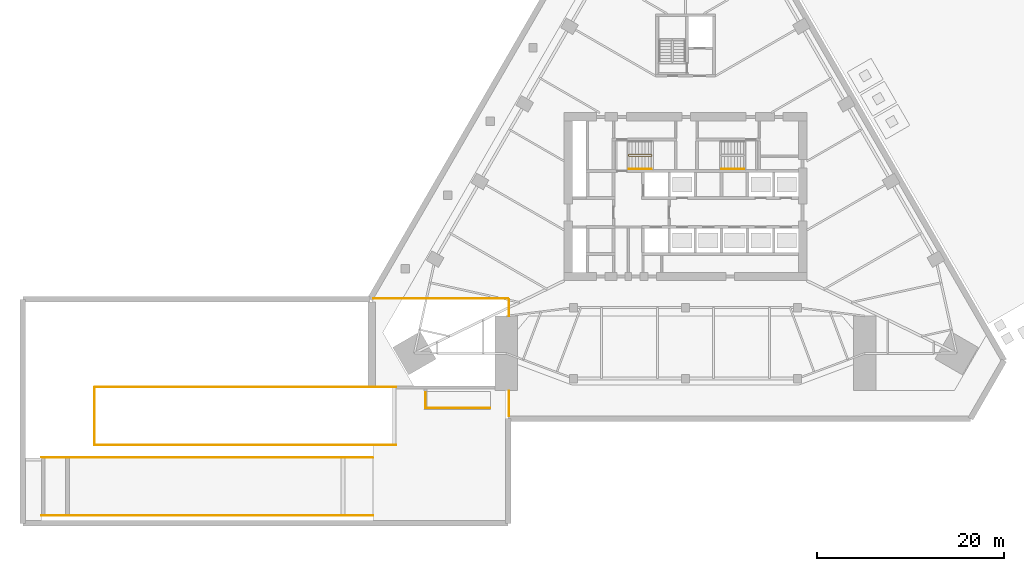
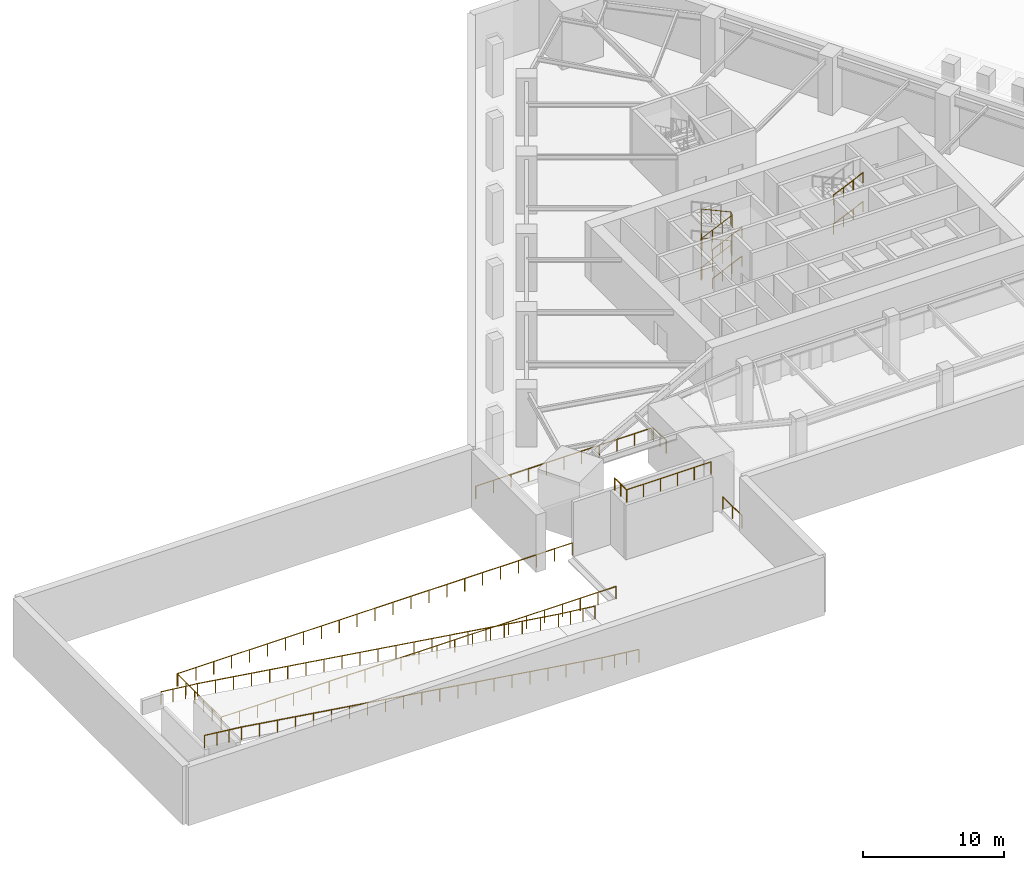
# One storey, part 7 of 9: 14 railings.
"""IFC4 building model written with IfcOpenShell, lengths in metres."""

from ifc_helpers import new_model, si_unit, direction, frame, origin, origin_2d, place, context, subcontext, project, spatial, circle, extrude, material, type_object, element, save


model = new_model("IFC4")

# Units and contexts
model_context = context("Model", 3, precision=1e-05, world=origin(), true_north=direction((0.0, 1.0)))
body_context = subcontext(model_context, "Body", "Model", "MODEL_VIEW")
ifc_project = project(units=[si_unit("LENGTHUNIT", "METRE"), si_unit("AREAUNIT", "SQUARE_METRE"), si_unit("VOLUMEUNIT", "CUBIC_METRE"), si_unit("PLANEANGLEUNIT", "RADIAN"), si_unit("MASSUNIT", "GRAM", prefix="KILO")], contexts=[model_context])

# Site, building, storey
site_placement = place(None, origin())
site = spatial("IfcSite", under=ifc_project, at=site_placement, CompositionType="ELEMENT")
building_placement = place(site_placement, origin())
building = spatial("IfcBuilding", under=site, at=building_placement, Name="Firuza Gate Tower and Library", CompositionType="ELEMENT")
storey_placement = place(building_placement, frame((0.0, 0.0, -5.0)))
storey = spatial("IfcBuildingStorey", under=building, at=storey_placement, Name="B1", CompositionType="ELEMENT", Elevation=-5.0)

# Railings
ifc_material_1 = material(Name="Steel S355", Category="steel")
railing_type_1 = type_object("IfcRailingType", Name="Ramp guard 1100", PredefinedType="GUARDRAIL", material=ifc_material_1)
railing_1_placement = place(storey_placement, frame((6.0, 40.85009765625, 5.0)))
element("IfcRailing", 1, at=railing_1_placement, inside=storey, type_object=railing_type_1, Name="Car ramp 1 guard 1", PredefinedType="GUARDRAIL", context=body_context, shape_type="SweptSolid", body=[
    extrude(circle(Radius=0.02392578125, at=origin_2d()), frame((0.0, 0.0, 1.076171875), z_axis=(0.99388669344, 0.0, -0.110404893925), x_axis=(0.0, 1.0, 0.0)), (0.0, 0.0, 1.0), 3.0185546875),
    extrude(circle(Radius=0.02392578125, at=origin_2d()), frame((3.0, 0.0, 0.74267578125), z_axis=(0.989382002609, 0.0, -0.145338408255), x_axis=(0.0, 1.0, 0.0)), (0.0, 0.0, 1.0), 29.816650390625),
    extrude(circle(Radius=0.02392578125, at=origin_2d()), frame((32.5, 0.0, -3.5908203125), z_axis=(0.99388669344, 0.0, -0.110404893925), x_axis=(0.0, 1.0, 0.0)), (0.0, 0.0, 1.0), 3.0185546875),
    extrude(circle(Radius=0.02099609375, at=origin_2d()), origin(), (0.0, 0.0, 1.0), 1.052001953125),
    extrude(circle(Radius=0.02099609375, at=origin_2d()), frame((1.0, 0.0, -0.111083984375)), (0.0, 0.0, 1.0), 1.052001953125),
    extrude(circle(Radius=0.02099609375, at=origin_2d()), frame((2.0, 0.0, -0.22216796875)), (0.0, 0.0, 1.0), 1.052001953125),
    extrude(circle(Radius=0.02099609375, at=origin_2d()), frame((3.0, 0.0, -0.333251953125)), (0.0, 0.0, 1.0), 1.052001953125),
    extrude(circle(Radius=0.02099609375, at=origin_2d()), frame((4.47509765625, 0.0, -0.5498046875)), (0.0, 0.0, 1.0), 1.052001953125),
    extrude(circle(Radius=0.02099609375, at=origin_2d()), frame((5.949951171875, 0.0, -0.7666015625)), (0.0, 0.0, 1.0), 1.052001953125),
    extrude(circle(Radius=0.02099609375, at=origin_2d()), frame((7.425048828125, 0.0, -0.9833984375)), (0.0, 0.0, 1.0), 1.052001953125),
    extrude(circle(Radius=0.02099609375, at=origin_2d()), frame((8.89990234375, 0.0, -1.199951171875)), (0.0, 0.0, 1.0), 1.052001953125),
    extrude(circle(Radius=0.02099609375, at=origin_2d()), frame((10.375, 0.0, -1.41650390625)), (0.0, 0.0, 1.0), 1.052001953125),
    extrude(circle(Radius=0.02099609375, at=origin_2d()), frame((11.85009765625, 0.0, -1.63330078125)), (0.0, 0.0, 1.0), 1.052001953125),
    extrude(circle(Radius=0.02099609375, at=origin_2d()), frame((13.324951171875, 0.0, -1.85009765625)), (0.0, 0.0, 1.0), 1.052001953125),
    extrude(circle(Radius=0.02099609375, at=origin_2d()), frame((14.800048828125, 0.0, -2.066650390625)), (0.0, 0.0, 1.0), 1.052001953125),
    extrude(circle(Radius=0.02099609375, at=origin_2d()), frame((16.27490234375, 0.0, -2.283203125)), (0.0, 0.0, 1.0), 1.052001953125),
    extrude(circle(Radius=0.02099609375, at=origin_2d()), frame((17.75, 0.0, -2.5)), (0.0, 0.0, 1.0), 1.052001953125),
    extrude(circle(Radius=0.02099609375, at=origin_2d()), frame((19.22509765625, 0.0, -2.716796875)), (0.0, 0.0, 1.0), 1.052001953125),
    extrude(circle(Radius=0.02099609375, at=origin_2d()), frame((20.699951171875, 0.0, -2.933349609375)), (0.0, 0.0, 1.0), 1.052001953125),
    extrude(circle(Radius=0.02099609375, at=origin_2d()), frame((22.175048828125, 0.0, -3.14990234375)), (0.0, 0.0, 1.0), 1.052001953125),
    extrude(circle(Radius=0.02099609375, at=origin_2d()), frame((23.64990234375, 0.0, -3.36669921875)), (0.0, 0.0, 1.0), 1.052001953125),
    extrude(circle(Radius=0.02099609375, at=origin_2d()), frame((25.125, 0.0, -3.58349609375)), (0.0, 0.0, 1.0), 1.052001953125),
    extrude(circle(Radius=0.02099609375, at=origin_2d()), frame((26.60009765625, 0.0, -3.800048828125)), (0.0, 0.0, 1.0), 1.052001953125),
    extrude(circle(Radius=0.02099609375, at=origin_2d()), frame((28.074951171875, 0.0, -4.0166015625)), (0.0, 0.0, 1.0), 1.052001953125),
    extrude(circle(Radius=0.02099609375, at=origin_2d()), frame((29.550048828125, 0.0, -4.2333984375)), (0.0, 0.0, 1.0), 1.052001953125),
    extrude(circle(Radius=0.02099609375, at=origin_2d()), frame((31.02490234375, 0.0, -4.4501953125)), (0.0, 0.0, 1.0), 1.052001953125),
    extrude(circle(Radius=0.02099609375, at=origin_2d()), frame((32.5, 0.0, -4.666748046875)), (0.0, 0.0, 1.0), 1.052001953125),
    extrude(circle(Radius=0.02099609375, at=origin_2d()), frame((33.5, 0.0, -4.77783203125)), (0.0, 0.0, 1.0), 1.052001953125),
    extrude(circle(Radius=0.02099609375, at=origin_2d()), frame((34.5, 0.0, -4.888916015625)), (0.0, 0.0, 1.0), 1.052001953125),
    extrude(circle(Radius=0.02099609375, at=origin_2d()), frame((35.5, 0.0, -5.0)), (0.0, 0.0, 1.0), 1.052001953125),
])
railing_2_placement = place(storey_placement, frame((6.0, 47.050048828125, 5.0)))
element("IfcRailing", 2, at=railing_2_placement, inside=storey, type_object=railing_type_1, Name="Car ramp 1 guard 2", PredefinedType="GUARDRAIL", context=body_context, shape_type="SweptSolid", body=[
    extrude(circle(Radius=0.02392578125, at=origin_2d()), frame((0.0, 0.0, 1.076171875), z_axis=(0.99388669344, 0.0, -0.110404893925), x_axis=(0.0, 1.0, 0.0)), (0.0, 0.0, 1.0), 3.0185546875),
    extrude(circle(Radius=0.02392578125, at=origin_2d()), frame((3.0, 0.0, 0.74267578125), z_axis=(0.989382002609, 0.0, -0.145338408255), x_axis=(0.0, 1.0, 0.0)), (0.0, 0.0, 1.0), 29.816650390625),
    extrude(circle(Radius=0.02392578125, at=origin_2d()), frame((32.5, 0.0, -3.5908203125), z_axis=(0.99388669344, 0.0, -0.110404893925), x_axis=(0.0, 1.0, 0.0)), (0.0, 0.0, 1.0), 3.0185546875),
    extrude(circle(Radius=0.02099609375, at=origin_2d()), origin(), (0.0, 0.0, 1.0), 1.052001953125),
    extrude(circle(Radius=0.02099609375, at=origin_2d()), frame((1.0, 0.0, -0.111083984375)), (0.0, 0.0, 1.0), 1.052001953125),
    extrude(circle(Radius=0.02099609375, at=origin_2d()), frame((2.0, 0.0, -0.22216796875)), (0.0, 0.0, 1.0), 1.052001953125),
    extrude(circle(Radius=0.02099609375, at=origin_2d()), frame((3.0, 0.0, -0.333251953125)), (0.0, 0.0, 1.0), 1.052001953125),
    extrude(circle(Radius=0.02099609375, at=origin_2d()), frame((4.47509765625, 0.0, -0.5498046875)), (0.0, 0.0, 1.0), 1.052001953125),
    extrude(circle(Radius=0.02099609375, at=origin_2d()), frame((5.949951171875, 0.0, -0.7666015625)), (0.0, 0.0, 1.0), 1.052001953125),
    extrude(circle(Radius=0.02099609375, at=origin_2d()), frame((7.425048828125, 0.0, -0.9833984375)), (0.0, 0.0, 1.0), 1.052001953125),
    extrude(circle(Radius=0.02099609375, at=origin_2d()), frame((8.89990234375, 0.0, -1.199951171875)), (0.0, 0.0, 1.0), 1.052001953125),
    extrude(circle(Radius=0.02099609375, at=origin_2d()), frame((10.375, 0.0, -1.41650390625)), (0.0, 0.0, 1.0), 1.052001953125),
    extrude(circle(Radius=0.02099609375, at=origin_2d()), frame((11.85009765625, 0.0, -1.63330078125)), (0.0, 0.0, 1.0), 1.052001953125),
    extrude(circle(Radius=0.02099609375, at=origin_2d()), frame((13.324951171875, 0.0, -1.85009765625)), (0.0, 0.0, 1.0), 1.052001953125),
    extrude(circle(Radius=0.02099609375, at=origin_2d()), frame((14.800048828125, 0.0, -2.066650390625)), (0.0, 0.0, 1.0), 1.052001953125),
    extrude(circle(Radius=0.02099609375, at=origin_2d()), frame((16.27490234375, 0.0, -2.283203125)), (0.0, 0.0, 1.0), 1.052001953125),
    extrude(circle(Radius=0.02099609375, at=origin_2d()), frame((17.75, 0.0, -2.5)), (0.0, 0.0, 1.0), 1.052001953125),
    extrude(circle(Radius=0.02099609375, at=origin_2d()), frame((19.22509765625, 0.0, -2.716796875)), (0.0, 0.0, 1.0), 1.052001953125),
    extrude(circle(Radius=0.02099609375, at=origin_2d()), frame((20.699951171875, 0.0, -2.933349609375)), (0.0, 0.0, 1.0), 1.052001953125),
    extrude(circle(Radius=0.02099609375, at=origin_2d()), frame((22.175048828125, 0.0, -3.14990234375)), (0.0, 0.0, 1.0), 1.052001953125),
    extrude(circle(Radius=0.02099609375, at=origin_2d()), frame((23.64990234375, 0.0, -3.36669921875)), (0.0, 0.0, 1.0), 1.052001953125),
    extrude(circle(Radius=0.02099609375, at=origin_2d()), frame((25.125, 0.0, -3.58349609375)), (0.0, 0.0, 1.0), 1.052001953125),
    extrude(circle(Radius=0.02099609375, at=origin_2d()), frame((26.60009765625, 0.0, -3.800048828125)), (0.0, 0.0, 1.0), 1.052001953125),
    extrude(circle(Radius=0.02099609375, at=origin_2d()), frame((28.074951171875, 0.0, -4.0166015625)), (0.0, 0.0, 1.0), 1.052001953125),
    extrude(circle(Radius=0.02099609375, at=origin_2d()), frame((29.550048828125, 0.0, -4.2333984375)), (0.0, 0.0, 1.0), 1.052001953125),
    extrude(circle(Radius=0.02099609375, at=origin_2d()), frame((31.02490234375, 0.0, -4.4501953125)), (0.0, 0.0, 1.0), 1.052001953125),
    extrude(circle(Radius=0.02099609375, at=origin_2d()), frame((32.5, 0.0, -4.666748046875)), (0.0, 0.0, 1.0), 1.052001953125),
    extrude(circle(Radius=0.02099609375, at=origin_2d()), frame((33.5, 0.0, -4.77783203125)), (0.0, 0.0, 1.0), 1.052001953125),
    extrude(circle(Radius=0.02099609375, at=origin_2d()), frame((34.5, 0.0, -4.888916015625)), (0.0, 0.0, 1.0), 1.052001953125),
    extrude(circle(Radius=0.02099609375, at=origin_2d()), frame((35.5, 0.0, -5.0)), (0.0, 0.0, 1.0), 1.052001953125),
])
railing_3_placement = place(storey_placement, frame((11.75, 48.39990234375, 0.0)))
element("IfcRailing", 3, at=railing_3_placement, inside=storey, type_object=railing_type_1, Name="Ramp R2 opening guard S", PredefinedType="GUARDRAIL", context=body_context, shape_type="SweptSolid", body=[
    extrude(circle(Radius=0.02392578125, at=origin_2d()), frame((0.0, 0.0, 1.076171875), z_axis=(1.0, 0.0, 0.0), x_axis=(0.0, 1.0, 0.0)), (0.0, 0.0, 1.0), 32.25),
    extrude(circle(Radius=0.02099609375, at=origin_2d()), origin(), (0.0, 0.0, 1.0), 1.052001953125),
    extrude(circle(Radius=0.02099609375, at=origin_2d()), frame((1.4658203125, 0.0, 0.0)), (0.0, 0.0, 1.0), 1.052001953125),
    extrude(circle(Radius=0.02099609375, at=origin_2d()), frame((2.931884765625, 0.0, 0.0)), (0.0, 0.0, 1.0), 1.052001953125),
    extrude(circle(Radius=0.02099609375, at=origin_2d()), frame((4.397705078125, 0.0, 0.0)), (0.0, 0.0, 1.0), 1.052001953125),
    extrude(circle(Radius=0.02099609375, at=origin_2d()), frame((5.863525390625, 0.0, 0.0)), (0.0, 0.0, 1.0), 1.052001953125),
    extrude(circle(Radius=0.02099609375, at=origin_2d()), frame((7.32958984375, 0.0, 0.0)), (0.0, 0.0, 1.0), 1.052001953125),
    extrude(circle(Radius=0.02099609375, at=origin_2d()), frame((8.79541015625, 0.0, 0.0)), (0.0, 0.0, 1.0), 1.052001953125),
    extrude(circle(Radius=0.02099609375, at=origin_2d()), frame((10.261474609375, 0.0, 0.0)), (0.0, 0.0, 1.0), 1.052001953125),
    extrude(circle(Radius=0.02099609375, at=origin_2d()), frame((11.727294921875, 0.0, 0.0)), (0.0, 0.0, 1.0), 1.052001953125),
    extrude(circle(Radius=0.02099609375, at=origin_2d()), frame((13.193115234375, 0.0, 0.0)), (0.0, 0.0, 1.0), 1.052001953125),
    extrude(circle(Radius=0.02099609375, at=origin_2d()), frame((14.6591796875, 0.0, 0.0)), (0.0, 0.0, 1.0), 1.052001953125),
    extrude(circle(Radius=0.02099609375, at=origin_2d()), frame((16.125, 0.0, 0.0)), (0.0, 0.0, 1.0), 1.052001953125),
    extrude(circle(Radius=0.02099609375, at=origin_2d()), frame((17.5908203125, 0.0, 0.0)), (0.0, 0.0, 1.0), 1.052001953125),
    extrude(circle(Radius=0.02099609375, at=origin_2d()), frame((19.056884765625, 0.0, 0.0)), (0.0, 0.0, 1.0), 1.052001953125),
    extrude(circle(Radius=0.02099609375, at=origin_2d()), frame((20.522705078125, 0.0, 0.0)), (0.0, 0.0, 1.0), 1.052001953125),
    extrude(circle(Radius=0.02099609375, at=origin_2d()), frame((21.988525390625, 0.0, 0.0)), (0.0, 0.0, 1.0), 1.052001953125),
    extrude(circle(Radius=0.02099609375, at=origin_2d()), frame((23.45458984375, 0.0, 0.0)), (0.0, 0.0, 1.0), 1.052001953125),
    extrude(circle(Radius=0.02099609375, at=origin_2d()), frame((24.92041015625, 0.0, 0.0)), (0.0, 0.0, 1.0), 1.052001953125),
    extrude(circle(Radius=0.02099609375, at=origin_2d()), frame((26.386474609375, 0.0, 0.0)), (0.0, 0.0, 1.0), 1.052001953125),
    extrude(circle(Radius=0.02099609375, at=origin_2d()), frame((27.852294921875, 0.0, 0.0)), (0.0, 0.0, 1.0), 1.052001953125),
    extrude(circle(Radius=0.02099609375, at=origin_2d()), frame((29.318115234375, 0.0, 0.0)), (0.0, 0.0, 1.0), 1.052001953125),
    extrude(circle(Radius=0.02099609375, at=origin_2d()), frame((30.7841796875, 0.0, 0.0)), (0.0, 0.0, 1.0), 1.052001953125),
    extrude(circle(Radius=0.02099609375, at=origin_2d()), frame((32.25, 0.0, 0.0)), (0.0, 0.0, 1.0), 1.052001953125),
])
railing_4_placement = place(storey_placement, frame((11.75, 54.60009765625, 0.0)))
element("IfcRailing", 4, at=railing_4_placement, inside=storey, type_object=railing_type_1, Name="Ramp R2 opening guard N", PredefinedType="GUARDRAIL", context=body_context, shape_type="SweptSolid", body=[
    extrude(circle(Radius=0.02392578125, at=origin_2d()), frame((0.0, 0.0, 1.076171875), z_axis=(1.0, 0.0, 0.0), x_axis=(0.0, 1.0, 0.0)), (0.0, 0.0, 1.0), 32.25),
    extrude(circle(Radius=0.02099609375, at=origin_2d()), origin(), (0.0, 0.0, 1.0), 1.052001953125),
    extrude(circle(Radius=0.02099609375, at=origin_2d()), frame((1.4658203125, 0.0, 0.0)), (0.0, 0.0, 1.0), 1.052001953125),
    extrude(circle(Radius=0.02099609375, at=origin_2d()), frame((2.931884765625, 0.0, 0.0)), (0.0, 0.0, 1.0), 1.052001953125),
    extrude(circle(Radius=0.02099609375, at=origin_2d()), frame((4.397705078125, 0.0, 0.0)), (0.0, 0.0, 1.0), 1.052001953125),
    extrude(circle(Radius=0.02099609375, at=origin_2d()), frame((5.863525390625, 0.0, 0.0)), (0.0, 0.0, 1.0), 1.052001953125),
    extrude(circle(Radius=0.02099609375, at=origin_2d()), frame((7.32958984375, 0.0, 0.0)), (0.0, 0.0, 1.0), 1.052001953125),
    extrude(circle(Radius=0.02099609375, at=origin_2d()), frame((8.79541015625, 0.0, 0.0)), (0.0, 0.0, 1.0), 1.052001953125),
    extrude(circle(Radius=0.02099609375, at=origin_2d()), frame((10.261474609375, 0.0, 0.0)), (0.0, 0.0, 1.0), 1.052001953125),
    extrude(circle(Radius=0.02099609375, at=origin_2d()), frame((11.727294921875, 0.0, 0.0)), (0.0, 0.0, 1.0), 1.052001953125),
    extrude(circle(Radius=0.02099609375, at=origin_2d()), frame((13.193115234375, 0.0, 0.0)), (0.0, 0.0, 1.0), 1.052001953125),
    extrude(circle(Radius=0.02099609375, at=origin_2d()), frame((14.6591796875, 0.0, 0.0)), (0.0, 0.0, 1.0), 1.052001953125),
    extrude(circle(Radius=0.02099609375, at=origin_2d()), frame((16.125, 0.0, 0.0)), (0.0, 0.0, 1.0), 1.052001953125),
    extrude(circle(Radius=0.02099609375, at=origin_2d()), frame((17.5908203125, 0.0, 0.0)), (0.0, 0.0, 1.0), 1.052001953125),
    extrude(circle(Radius=0.02099609375, at=origin_2d()), frame((19.056884765625, 0.0, 0.0)), (0.0, 0.0, 1.0), 1.052001953125),
    extrude(circle(Radius=0.02099609375, at=origin_2d()), frame((20.522705078125, 0.0, 0.0)), (0.0, 0.0, 1.0), 1.052001953125),
    extrude(circle(Radius=0.02099609375, at=origin_2d()), frame((21.988525390625, 0.0, 0.0)), (0.0, 0.0, 1.0), 1.052001953125),
    extrude(circle(Radius=0.02099609375, at=origin_2d()), frame((23.45458984375, 0.0, 0.0)), (0.0, 0.0, 1.0), 1.052001953125),
    extrude(circle(Radius=0.02099609375, at=origin_2d()), frame((24.92041015625, 0.0, 0.0)), (0.0, 0.0, 1.0), 1.052001953125),
    extrude(circle(Radius=0.02099609375, at=origin_2d()), frame((26.386474609375, 0.0, 0.0)), (0.0, 0.0, 1.0), 1.052001953125),
    extrude(circle(Radius=0.02099609375, at=origin_2d()), frame((27.852294921875, 0.0, 0.0)), (0.0, 0.0, 1.0), 1.052001953125),
    extrude(circle(Radius=0.02099609375, at=origin_2d()), frame((29.318115234375, 0.0, 0.0)), (0.0, 0.0, 1.0), 1.052001953125),
    extrude(circle(Radius=0.02099609375, at=origin_2d()), frame((30.7841796875, 0.0, 0.0)), (0.0, 0.0, 1.0), 1.052001953125),
    extrude(circle(Radius=0.02099609375, at=origin_2d()), frame((32.25, 0.0, 0.0)), (0.0, 0.0, 1.0), 1.052001953125),
])
railing_5_placement = place(storey_placement, frame((11.699951171875, 48.39990234375, 0.0)))
element("IfcRailing", 5, at=railing_5_placement, inside=storey, type_object=railing_type_1, Name="Ramp R2 opening guard E", PredefinedType="GUARDRAIL", context=body_context, shape_type="SweptSolid", body=[
    extrude(circle(Radius=0.02392578125, at=origin_2d()), frame((0.0, 0.0, 1.076171875), z_axis=(0.0, 1.0, 0.0), x_axis=(-1.0, 0.0, 0.0)), (0.0, 0.0, 1.0), 6.2001953125),
    extrude(circle(Radius=0.02099609375, at=origin_2d()), origin(), (0.0, 0.0, 1.0), 1.052001953125),
    extrude(circle(Radius=0.02099609375, at=origin_2d()), frame((0.0, 1.239990234375, 0.0)), (0.0, 0.0, 1.0), 1.052001953125),
    extrude(circle(Radius=0.02099609375, at=origin_2d()), frame((0.0, 2.47998046875, 0.0)), (0.0, 0.0, 1.0), 1.052001953125),
    extrude(circle(Radius=0.02099609375, at=origin_2d()), frame((0.0, 3.72021484375, 0.0)), (0.0, 0.0, 1.0), 1.052001953125),
    extrude(circle(Radius=0.02099609375, at=origin_2d()), frame((0.0, 4.960205078125, 0.0)), (0.0, 0.0, 1.0), 1.052001953125),
    extrude(circle(Radius=0.02099609375, at=origin_2d()), frame((0.0, 6.2001953125, 0.0)), (0.0, 0.0, 1.0), 1.052001953125),
])
railing_6_placement = place(storey_placement, frame((54.050048828125, 52.35009765625, 4.85009765625)))
element("IfcRailing", 6, at=railing_6_placement, inside=storey, type_object=railing_type_1, Name="Entrance apron guard", PredefinedType="GUARDRAIL", context=body_context, shape_type="SweptSolid", body=[
    extrude(circle(Radius=0.02392578125, at=origin_2d()), frame((0.0, 0.0, 1.076171875), z_axis=(-1.0, 0.0, 0.0), x_axis=(0.0, -1.0, 0.0)), (0.0, 0.0, 1.0), 6.900146484375),
    extrude(circle(Radius=0.02392578125, at=origin_2d()), frame((-6.900146484375, 0.0, 1.076171875), z_axis=(0.0, 1.0, 0.0), x_axis=(-1.0, 0.0, 0.0)), (0.0, 0.0, 1.0), 1.699951171875),
    extrude(circle(Radius=0.02099609375, at=origin_2d()), origin(), (0.0, 0.0, 1.0), 1.052001953125),
    extrude(circle(Radius=0.02099609375, at=origin_2d()), frame((-1.380126953125, 0.0, 0.0)), (0.0, 0.0, 1.0), 1.052001953125),
    extrude(circle(Radius=0.02099609375, at=origin_2d()), frame((-2.760009765625, 0.0, 0.0)), (0.0, 0.0, 1.0), 1.052001953125),
    extrude(circle(Radius=0.02099609375, at=origin_2d()), frame((-4.14013671875, 0.0, 0.0)), (0.0, 0.0, 1.0), 1.052001953125),
    extrude(circle(Radius=0.02099609375, at=origin_2d()), frame((-5.52001953125, 0.0, 0.0)), (0.0, 0.0, 1.0), 1.052001953125),
    extrude(circle(Radius=0.02099609375, at=origin_2d()), frame((-6.900146484375, 0.0, 0.0)), (0.0, 0.0, 1.0), 1.052001953125),
    extrude(circle(Radius=0.02099609375, at=origin_2d()), frame((-6.900146484375, 0.85009765625, 0.0)), (0.0, 0.0, 1.0), 1.052001953125),
    extrude(circle(Radius=0.02099609375, at=origin_2d()), frame((-6.900146484375, 1.699951171875, 0.0)), (0.0, 0.0, 1.0), 1.052001953125),
])
railing_7_placement = place(storey_placement, frame((41.57763671875, 64.080078125, 0.0)))
element("IfcRailing", 7, at=railing_7_placement, inside=storey, type_object=railing_type_1, Name="B1 slab edge guard 1", PredefinedType="GUARDRAIL", context=body_context, shape_type="SweptSolid", body=[
    extrude(circle(Radius=0.02392578125, at=origin_2d()), frame((0.0, 0.0, 1.076171875), z_axis=(1.0, 0.0, 0.0), x_axis=(0.0, 1.0, 0.0)), (0.0, 0.0, 1.0), 14.42236328125),
    extrude(circle(Radius=0.02099609375, at=origin_2d()), origin(), (0.0, 0.0, 1.0), 1.052001953125),
    extrude(circle(Radius=0.02099609375, at=origin_2d()), frame((1.442138671875, 0.0, 0.0)), (0.0, 0.0, 1.0), 1.052001953125),
    extrude(circle(Radius=0.02099609375, at=origin_2d()), frame((2.884521484375, 0.0, 0.0)), (0.0, 0.0, 1.0), 1.052001953125),
    extrude(circle(Radius=0.02099609375, at=origin_2d()), frame((4.32666015625, 0.0, 0.0)), (0.0, 0.0, 1.0), 1.052001953125),
    extrude(circle(Radius=0.02099609375, at=origin_2d()), frame((5.76904296875, 0.0, 0.0)), (0.0, 0.0, 1.0), 1.052001953125),
    extrude(circle(Radius=0.02099609375, at=origin_2d()), frame((7.211181640625, 0.0, 0.0)), (0.0, 0.0, 1.0), 1.052001953125),
    extrude(circle(Radius=0.02099609375, at=origin_2d()), frame((8.6533203125, 0.0, 0.0)), (0.0, 0.0, 1.0), 1.052001953125),
    extrude(circle(Radius=0.02099609375, at=origin_2d()), frame((10.095703125, 0.0, 0.0)), (0.0, 0.0, 1.0), 1.052001953125),
    extrude(circle(Radius=0.02099609375, at=origin_2d()), frame((11.537841796875, 0.0, 0.0)), (0.0, 0.0, 1.0), 1.052001953125),
    extrude(circle(Radius=0.02099609375, at=origin_2d()), frame((12.980224609375, 0.0, 0.0)), (0.0, 0.0, 1.0), 1.052001953125),
    extrude(circle(Radius=0.02099609375, at=origin_2d()), frame((14.42236328125, 0.0, 0.0)), (0.0, 0.0, 1.0), 1.052001953125),
])
railing_8_placement = place(storey_placement, frame((56.080078125, 64.0, 0.0)))
element("IfcRailing", 8, at=railing_8_placement, inside=storey, type_object=railing_type_1, Name="B1 slab edge guard 2", PredefinedType="GUARDRAIL", context=body_context, shape_type="SweptSolid", body=[
    extrude(circle(Radius=0.02392578125, at=origin_2d()), frame((0.0, 0.0, 1.076171875), z_axis=(0.0, -1.0, 0.0), x_axis=(1.0, 0.0, 0.0)), (0.0, 0.0, 1.0), 1.78466796875),
    extrude(circle(Radius=0.02099609375, at=origin_2d()), origin(), (0.0, 0.0, 1.0), 1.052001953125),
    extrude(circle(Radius=0.02099609375, at=origin_2d()), frame((0.0, -0.892333984375, 0.0)), (0.0, 0.0, 1.0), 1.052001953125),
    extrude(circle(Radius=0.02099609375, at=origin_2d()), frame((0.0, -1.78466796875, 0.0)), (0.0, 0.0, 1.0), 1.052001953125),
])
railing_9_placement = place(storey_placement, frame((56.080078125, 54.21533203125, 0.0)))
element("IfcRailing", 9, at=railing_9_placement, inside=storey, type_object=railing_type_1, Name="B1 slab edge guard 3", PredefinedType="GUARDRAIL", context=body_context, shape_type="SweptSolid", body=[
    extrude(circle(Radius=0.02392578125, at=origin_2d()), frame((0.0, 0.0, 1.076171875), z_axis=(0.0, -1.0, 0.0), x_axis=(1.0, 0.0, 0.0)), (0.0, 0.0, 1.0), 2.699951171875),
    extrude(circle(Radius=0.02099609375, at=origin_2d()), origin(), (0.0, 0.0, 1.0), 1.052001953125),
    extrude(circle(Radius=0.02099609375, at=origin_2d()), frame((0.0, -1.35009765625, 0.0)), (0.0, 0.0, 1.0), 1.052001953125),
    extrude(circle(Radius=0.02099609375, at=origin_2d()), frame((0.0, -2.699951171875, 0.0)), (0.0, 0.0, 1.0), 1.052001953125),
])
ifc_material_2 = material(Name="Steel S355", Category="steel")
railing_type_2 = type_object("IfcRailingType", Name="Stair guard 1100", PredefinedType="GUARDRAIL", material=ifc_material_2)
railing_10_placement = place(storey_placement, frame((68.93994140625, 79.340087890625, 0.15625)))
element("IfcRailing", 10, at=railing_10_placement, inside=storey, type_object=railing_type_2, Name="B1 ST1 stair guard 1", PredefinedType="GUARDRAIL", context=body_context, shape_type="SweptSolid", body=[
    extrude(circle(Radius=0.02392578125, at=origin_2d()), frame((0.0, 0.0, 1.076171875), z_axis=(0.910933285851, 0.0, 0.412553691934), x_axis=(0.0, 1.0, 0.0)), (0.0, 0.0, 1.0), 2.651123046875),
    extrude(circle(Radius=0.02392578125, at=origin_2d()), frame((2.4150390625, 0.0, 2.169921875), z_axis=(0.708833529934, 0.705375805398, 0.0), x_axis=(-0.705375805398, 0.708833529934, 0.0)), (0.0, 0.0, 1.0), 0.070556640625),
    extrude(circle(Radius=0.02392578125, at=origin_2d()), frame((2.465087890625, 0.0498046875, 2.169921875), z_axis=(0.0, 1.0, 0.0), x_axis=(-1.0, 0.0, 0.0)), (0.0, 0.0, 1.0), 0.10009765625),
    extrude(circle(Radius=0.02392578125, at=origin_2d()), frame((2.465087890625, 0.14990234375, 2.169921875), z_axis=(-0.29177245553, 0.29177245553, 0.91089937336), x_axis=(-0.707106781187, -0.707106781187, 0.0)), (0.0, 0.0, 1.0), 0.171630859375),
    extrude(circle(Radius=0.02392578125, at=origin_2d()), frame((2.4150390625, 0.199951171875, 2.326171875), z_axis=(-0.910933285851, 0.0, 0.412553691934), x_axis=(0.0, -1.0, 0.0)), (0.0, 0.0, 1.0), 2.651123046875),
    extrude(circle(Radius=0.02392578125, at=origin_2d()), frame((0.0, 0.199951171875, 3.419921875), z_axis=(-0.316227766017, -0.948683298051, 0.0), x_axis=(0.948683298051, -0.316227766017, 0.0)), (0.0, 0.0, 1.0), 0.158203125),
    extrude(circle(Radius=0.02392578125, at=origin_2d()), frame((-0.050048828125, 0.0498046875, 3.419921875), z_axis=(0.0, 1.0, 0.0), x_axis=(-1.0, 0.0, 0.0)), (0.0, 0.0, 1.0), 0.10009765625),
    extrude(circle(Radius=0.02392578125, at=origin_2d()), frame((-0.050048828125, 0.14990234375, 3.419921875), z_axis=(0.225203892779, -0.674513122763, 0.703075567701), x_axis=(0.948528701346, 0.316691178788, 0.0)), (0.0, 0.0, 1.0), 0.22216796875),
    extrude(circle(Radius=0.02392578125, at=origin_2d()), frame((0.0, 0.0, 3.576171875), z_axis=(0.910933285851, 0.0, 0.412553691934), x_axis=(0.0, 1.0, 0.0)), (0.0, 0.0, 1.0), 2.651123046875),
    extrude(circle(Radius=0.02392578125, at=origin_2d()), frame((2.4150390625, 0.0, 4.669921875), z_axis=(0.708833529934, 0.705375805398, 0.0), x_axis=(-0.705375805398, 0.708833529934, 0.0)), (0.0, 0.0, 1.0), 0.070556640625),
    extrude(circle(Radius=0.02392578125, at=origin_2d()), frame((2.465087890625, 0.0498046875, 4.669921875), z_axis=(0.0, 1.0, 0.0), x_axis=(-1.0, 0.0, 0.0)), (0.0, 0.0, 1.0), 0.10009765625),
    extrude(circle(Radius=0.02392578125, at=origin_2d()), frame((2.465087890625, 0.14990234375, 4.669921875), z_axis=(-0.29177245553, 0.29177245553, 0.91089937336), x_axis=(-0.707106781187, -0.707106781187, 0.0)), (0.0, 0.0, 1.0), 0.171630859375),
    extrude(circle(Radius=0.02392578125, at=origin_2d()), frame((2.4150390625, 0.199951171875, 4.826171875), z_axis=(-0.910933285851, 0.0, 0.412553691934), x_axis=(0.0, -1.0, 0.0)), (0.0, 0.0, 1.0), 2.651123046875),
    extrude(circle(Radius=0.02392578125, at=origin_2d()), frame((0.0, 0.199951171875, 5.919921875), z_axis=(-0.010004754727, -0.030014264182, -0.999499399114), x_axis=(0.948683298051, -0.316227766017, 0.0)), (0.0, 0.0, 1.0), 5.00244140625),
    extrude(circle(Radius=0.02392578125, at=origin_2d()), frame((-0.050048828125, 0.0498046875, 0.919921875), z_axis=(0.0, 1.0, 0.0), x_axis=(-1.0, 0.0, 0.0)), (0.0, 0.0, 1.0), 0.10009765625),
    extrude(circle(Radius=0.02099609375, at=origin_2d()), origin(), (0.0, 0.0, 1.0), 1.052001953125),
    extrude(circle(Radius=0.02099609375, at=origin_2d()), frame((0.804931640625, 0.0, 0.364501953125)), (0.0, 0.0, 1.0), 1.052001953125),
    extrude(circle(Radius=0.02099609375, at=origin_2d()), frame((1.610107421875, 0.0, 0.729248046875)), (0.0, 0.0, 1.0), 1.052001953125),
    extrude(circle(Radius=0.02099609375, at=origin_2d()), frame((2.4150390625, 0.0, 1.09375)), (0.0, 0.0, 1.0), 1.052001953125),
    extrude(circle(Radius=0.02099609375, at=origin_2d()), frame((2.465087890625, 0.0498046875, 1.09375)), (0.0, 0.0, 1.0), 1.052001953125),
    extrude(circle(Radius=0.02099609375, at=origin_2d()), frame((2.465087890625, 0.14990234375, 1.09375)), (0.0, 0.0, 1.0), 1.052001953125),
    extrude(circle(Radius=0.02099609375, at=origin_2d()), frame((2.4150390625, 0.199951171875, 1.25)), (0.0, 0.0, 1.0), 1.052001953125),
    extrude(circle(Radius=0.02099609375, at=origin_2d()), frame((1.610107421875, 0.199951171875, 1.614501953125)), (0.0, 0.0, 1.0), 1.052001953125),
    extrude(circle(Radius=0.02099609375, at=origin_2d()), frame((0.804931640625, 0.199951171875, 1.979248046875)), (0.0, 0.0, 1.0), 1.052001953125),
    extrude(circle(Radius=0.02099609375, at=origin_2d()), frame((0.0, 0.199951171875, 2.34375)), (0.0, 0.0, 1.0), 1.052001953125),
    extrude(circle(Radius=0.02099609375, at=origin_2d()), frame((-0.050048828125, 0.0498046875, 2.34375)), (0.0, 0.0, 1.0), 1.052001953125),
    extrude(circle(Radius=0.02099609375, at=origin_2d()), frame((-0.050048828125, 0.14990234375, 2.34375)), (0.0, 0.0, 1.0), 1.052001953125),
    extrude(circle(Radius=0.02099609375, at=origin_2d()), frame((0.0, 0.0, 2.5)), (0.0, 0.0, 1.0), 1.052001953125),
    extrude(circle(Radius=0.02099609375, at=origin_2d()), frame((0.804931640625, 0.0, 2.864501953125)), (0.0, 0.0, 1.0), 1.052001953125),
    extrude(circle(Radius=0.02099609375, at=origin_2d()), frame((1.610107421875, 0.0, 3.229248046875)), (0.0, 0.0, 1.0), 1.052001953125),
    extrude(circle(Radius=0.02099609375, at=origin_2d()), frame((2.4150390625, 0.0, 3.59375)), (0.0, 0.0, 1.0), 1.052001953125),
    extrude(circle(Radius=0.02099609375, at=origin_2d()), frame((2.465087890625, 0.0498046875, 3.59375)), (0.0, 0.0, 1.0), 1.052001953125),
    extrude(circle(Radius=0.02099609375, at=origin_2d()), frame((2.465087890625, 0.14990234375, 3.59375)), (0.0, 0.0, 1.0), 1.052001953125),
    extrude(circle(Radius=0.02099609375, at=origin_2d()), frame((2.4150390625, 0.199951171875, 3.75)), (0.0, 0.0, 1.0), 1.052001953125),
    extrude(circle(Radius=0.02099609375, at=origin_2d()), frame((1.610107421875, 0.199951171875, 4.114501953125)), (0.0, 0.0, 1.0), 1.052001953125),
    extrude(circle(Radius=0.02099609375, at=origin_2d()), frame((0.804931640625, 0.199951171875, 4.479248046875)), (0.0, 0.0, 1.0), 1.052001953125),
    extrude(circle(Radius=0.02099609375, at=origin_2d()), frame((0.0, 0.199951171875, 4.84375)), (0.0, 0.0, 1.0), 1.052001953125),
    extrude(circle(Radius=0.02099609375, at=origin_2d()), frame((-0.010009765625, 0.169921875, 3.84375)), (0.0, 0.0, 1.0), 1.052001953125),
    extrude(circle(Radius=0.02099609375, at=origin_2d()), frame((-0.02001953125, 0.139892578125, 2.84375)), (0.0, 0.0, 1.0), 1.052001953125),
    extrude(circle(Radius=0.02099609375, at=origin_2d()), frame((-0.030029296875, 0.10986328125, 1.84375)), (0.0, 0.0, 1.0), 1.052001953125),
    extrude(circle(Radius=0.02099609375, at=origin_2d()), frame((-0.0400390625, 0.079833984375, 0.84375)), (0.0, 0.0, 1.0), 1.052001953125),
    extrude(circle(Radius=0.02099609375, at=origin_2d()), frame((-0.050048828125, 0.0498046875, -0.15625)), (0.0, 0.0, 1.0), 1.052001953125),
    extrude(circle(Radius=0.02099609375, at=origin_2d()), frame((-0.050048828125, 0.14990234375, -0.15625)), (0.0, 0.0, 1.0), 1.052001953125),
])
ifc_material_3 = material(Name="Steel S355", Category="steel")
railing_type_3 = type_object("IfcRailingType", Name="Stair handrail 900", PredefinedType="HANDRAIL", material=ifc_material_3)
for number, where, name in (
    (11, (68.93994140625, 77.949951171875, 0.15625), "B1 ST1 stair handrail 1"),
    (12, (68.93994140625, 77.949951171875, 2.65625), "B1 ST1 stair handrail 3"),
    (13, (78.844970703125, 77.949951171875, 1.40625), "B1 ST2 stair handrail 2"),
    (14, (78.844970703125, 77.949951171875, 3.90625), "B1 ST2 stair handrail 4"),
):
    element("IfcRailing", number, at=place(storey_placement, frame(where)), inside=storey, type_object=railing_type_3, Name=name, PredefinedType="HANDRAIL", context=body_context, shape_type="SweptSolid", body=[
        extrude(circle(Radius=0.02392578125, at=origin_2d()), frame((0.0, 0.0, 0.8759765625), z_axis=(0.910933285851, 0.0, 0.412553691934), x_axis=(0.0, 1.0, 0.0)), (0.0, 0.0, 1.0), 2.651123046875),
        extrude(circle(Radius=0.02099609375, at=origin_2d()), origin(), (0.0, 0.0, 1.0), 0.851806640625),
        extrude(circle(Radius=0.02099609375, at=origin_2d()), frame((0.804931640625, 0.0, 0.364501953125)), (0.0, 0.0, 1.0), 0.851806640625),
        extrude(circle(Radius=0.02099609375, at=origin_2d()), frame((1.610107421875, 0.0, 0.729248046875)), (0.0, 0.0, 1.0), 0.851806640625),
        extrude(circle(Radius=0.02099609375, at=origin_2d()), frame((2.4150390625, 0.0, 1.09375)), (0.0, 0.0, 1.0), 0.851806640625),
    ])

save(model, "model.ifc")
